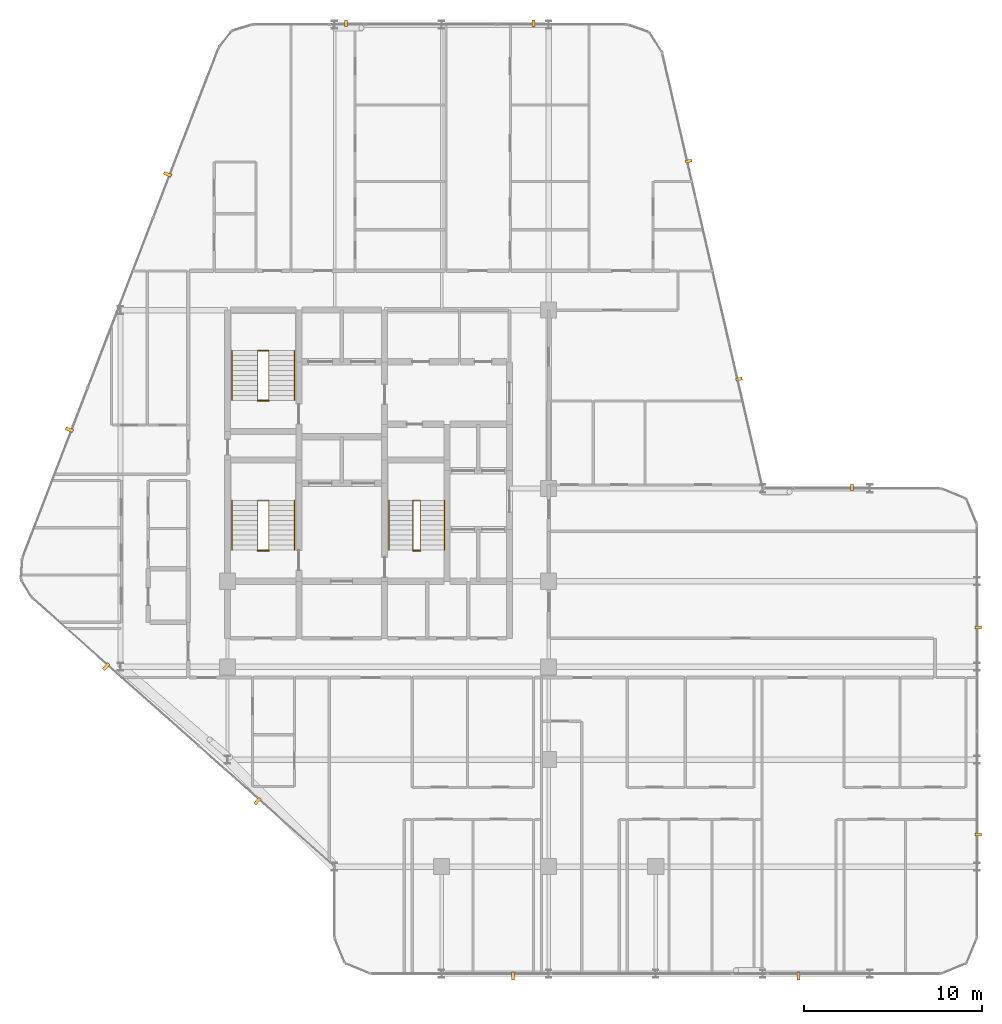
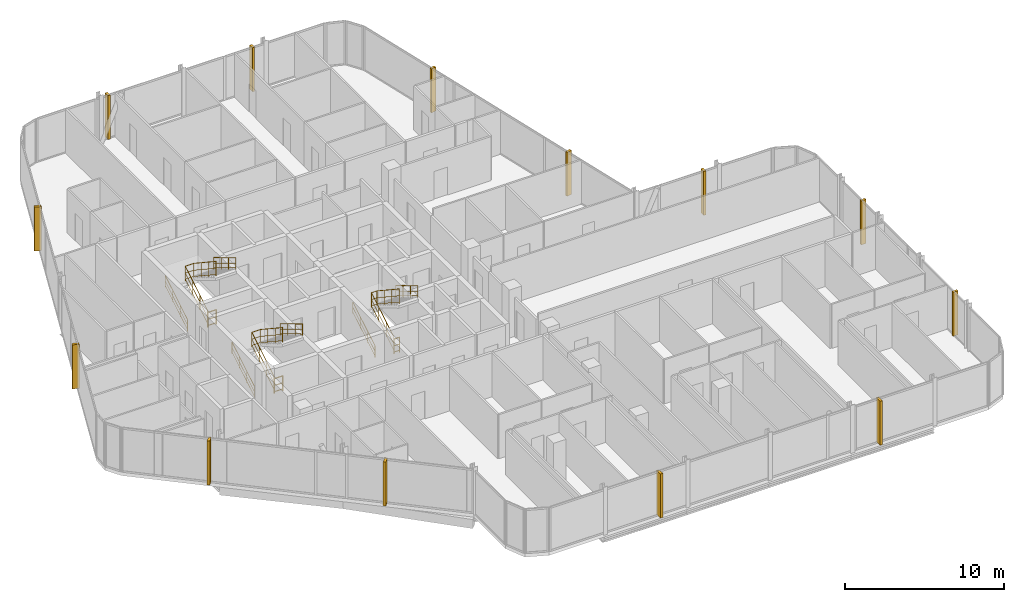
# One storey, part 29 of 29: 13 coverings, 12 railings.
"""IFC4 building model written with IfcOpenShell, lengths in metres."""

from ifc_helpers import new_model, si_unit, direction, frame, origin, origin_2d, place, context, subcontext, project, spatial, rectangle, circle, extrude, material, layer, layer_set, type_object, element, save


model = new_model("IFC4")

# Units and contexts
model_context = context("Model", 3, precision=1e-05, world=origin(), true_north=direction((0.0, 1.0)))
body_context = subcontext(model_context, "Body", "Model", "MODEL_VIEW")
ifc_project = project(units=[si_unit("LENGTHUNIT", "METRE"), si_unit("AREAUNIT", "SQUARE_METRE"), si_unit("VOLUMEUNIT", "CUBIC_METRE"), si_unit("PLANEANGLEUNIT", "RADIAN"), si_unit("MASSUNIT", "GRAM", prefix="KILO")], contexts=[model_context])

# Site, building, storey
site_placement = place(None, origin())
site = spatial("IfcSite", under=ifc_project, at=site_placement, CompositionType="ELEMENT")
building_placement = place(site_placement, origin())
building = spatial("IfcBuilding", under=site, at=building_placement, Name="Keshet Zoharim Tower", CompositionType="ELEMENT")
storey_placement = place(building_placement, frame((0.0, 0.0, 172.800048828125)))
storey = spatial("IfcBuildingStorey", under=building, at=storey_placement, Name="L42", CompositionType="ELEMENT", Elevation=172.800048828125)

# Coverings
ifc_material_1 = material(Name="Concrete C50/60 precast", Category="concrete")
covering_type_1 = type_object("IfcCoveringType", Name="FIN-SOL-360", PredefinedType="CLADDING", material=ifc_material_1)
for number, where, z_axis, x_axis, name in (
    (1, (57.080078125, 20.10009765625, 0.0), (0.0, 0.0, 1.0), (0.0, -1.0, 0.0), "L42 Vertical Precast Solar Fin 01"),
    (2, (57.080078125, 8.5, 0.0), (0.0, 0.0, 1.0), (0.0, -1.0, 0.0), "L42 Vertical Precast Solar Fin 02"),
    (3, (21.633056640625, 53.97998046875, 0.0), (0.0, 0.0, 1.0), (1.0, 0.0, 0.0), "L42 Vertical Precast Solar Fin 09"),
    (4, (32.14990234375, 53.97998046875, 0.0), (0.0, 0.0, 1.0), (1.0, 0.0, 0.0), "L42 Vertical Precast Solar Fin 10"),
    (5, (40.845947265625, 46.2548828125, 0.0), (0.0, 0.0, 1.0), (0.224847864369, -0.974393882313, 0.0), "L42 Vertical Precast Solar Fin 11"),
    (6, (43.6669921875, 34.030029296875, 0.0), (0.0, 0.0, 1.0), (0.224847864369, -0.974393882313, 0.0), "L42 Vertical Precast Solar Fin 12"),
    (7, (50.0, 27.97998046875, 0.0), (0.0, 0.0, 1.0), (1.0, 0.0, 0.0), "L42 Vertical Precast Solar Fin 13"),
):
    element("IfcCovering", number, at=place(storey_placement, frame(where, z_axis=z_axis, x_axis=x_axis)), inside=storey, type_object=covering_type_1, Name=name, PredefinedType="CLADDING", context=body_context, shape_type="SweptSolid", body=[
        extrude(rectangle(XDim=0.159912109375, YDim=0.360107421875, at=origin_2d()), origin(), (0.0, 0.0, 1.0), 3.389892578125),
    ])
covering_type_2 = type_object("IfcCoveringType", Name="FIN-SOL-450", PredefinedType="CLADDING", material=ifc_material_1)
for number, where, z_axis, x_axis, name in (
    (8, (47.0, 0.574951171875, 0.0), (0.0, 0.0, 1.0), (-1.0, 0.0, 0.0), "L42 Vertical Precast Solar Fin 03"),
    (9, (31.0, 0.574951171875, 0.0), (0.0, 0.0, 1.0), (-1.0, 0.0, 0.0), "L42 Vertical Precast Solar Fin 04"),
    (10, (16.676025390625, 10.376953125, 0.0), (0.0, 0.0, 1.0), (-0.747409318679, 0.664363838836, 0.0), "L42 Vertical Precast Solar Fin 05"),
    (11, (8.193115234375, 17.9169921875, 0.0), (0.0, 0.0, 1.0), (-0.747409318679, 0.664363838836, 0.0), "L42 Vertical Precast Solar Fin 06"),
    (12, (6.133056640625, 31.194091796875, 0.0), (0.0, 0.0, 1.0), (0.358990003907, 0.933341404361, 0.0), "L42 Vertical Precast Solar Fin 07"),
    (13, (11.637939453125, 45.507080078125, 0.0), (0.0, 0.0, 1.0), (0.358990003907, 0.933341404361, 0.0), "L42 Vertical Precast Solar Fin 08"),
):
    element("IfcCovering", number, at=place(storey_placement, frame(where, z_axis=z_axis, x_axis=x_axis)), inside=storey, type_object=covering_type_2, Name=name, PredefinedType="CLADDING", context=body_context, shape_type="SweptSolid", body=[
        extrude(rectangle(XDim=0.179931640625, YDim=0.449951171875, at=origin_2d()), origin(), (0.0, 0.0, 1.0), 3.389892578125),
    ])

# Railings
ifc_material_2 = material(Name="Steel S355", Category="steel")
ifc_layer_1 = layer(ifc_material_2, 0.050048828125)
ifc_layer_set_1 = layer_set([ifc_layer_1], Name="Steel S355")
railing_type_1 = type_object("IfcRailingType", Name="RL-HND-092", PredefinedType="HANDRAIL", material=ifc_layer_set_1)
railing_1_placement = place(storey_placement, frame((15.239990234375, 24.43994140625, 0.168212890625)))
element("IfcRailing", 14, at=railing_1_placement, inside=storey, type_object=railing_type_1, Name="L42 ST-01 Flight 1 Wall Handrail", PredefinedType="HANDRAIL", context=body_context, shape_type="SweptSolid", body=[
    extrude(circle(Radius=0.02392578125, at=origin_2d()), frame((0.0, 0.0, 0.89599609375), z_axis=(0.0, 0.857275202839, 0.514858452973), x_axis=(-1.0, 0.0, 0.0)), (0.0, 0.0, 1.0), 3.26611328125),
    extrude(circle(Radius=0.01611328125, at=origin_2d()), frame((0.0, 0.0, 0.478271484375), z_axis=(0.0, 0.857275202839, 0.514858452973), x_axis=(-1.0, 0.0, 0.0)), (0.0, 0.0, 1.0), 3.26611328125),
    extrude(circle(Radius=0.01611328125, at=origin_2d()), frame((0.0, 0.0, 0.1201171875), z_axis=(0.0, 0.857275202839, 0.514858452973), x_axis=(-1.0, 0.0, 0.0)), (0.0, 0.0, 1.0), 3.26611328125),
    extrude(circle(Radius=0.02099609375, at=origin_2d()), origin(), (0.0, 0.0, 1.0), 0.871826171875),
    extrude(circle(Radius=0.02099609375, at=origin_2d()), frame((0.0, 0.933349609375, 0.560546875)), (0.0, 0.0, 1.0), 0.871826171875),
    extrude(circle(Radius=0.02099609375, at=origin_2d()), frame((0.0, 1.86669921875, 1.12109375)), (0.0, 0.0, 1.0), 0.871826171875),
    extrude(circle(Radius=0.02099609375, at=origin_2d()), frame((0.0, 2.800048828125, 1.681640625)), (0.0, 0.0, 1.0), 0.871826171875),
])
railing_2_placement = place(storey_placement, frame((18.760009765625, 27.239990234375, 2.01806640625)))
element("IfcRailing", 15, at=railing_2_placement, inside=storey, type_object=railing_type_1, Name="L42 ST-01 Flight 2 Wall Handrail", PredefinedType="HANDRAIL", context=body_context, shape_type="SweptSolid", body=[
    extrude(circle(Radius=0.02392578125, at=origin_2d()), frame((0.0, 0.0, 0.89599609375), z_axis=(0.0, -0.857242210791, 0.514913383045), x_axis=(1.0, 0.0, 0.0)), (0.0, 0.0, 1.0), 3.266357421875),
    extrude(circle(Radius=0.01611328125, at=origin_2d()), frame((0.0, 0.0, 0.478271484375), z_axis=(0.0, -0.857242210791, 0.514913383045), x_axis=(1.0, 0.0, 0.0)), (0.0, 0.0, 1.0), 3.266357421875),
    extrude(circle(Radius=0.01611328125, at=origin_2d()), frame((0.0, 0.0, 0.1201171875), z_axis=(0.0, -0.857242210791, 0.514913383045), x_axis=(1.0, 0.0, 0.0)), (0.0, 0.0, 1.0), 3.266357421875),
    extrude(circle(Radius=0.02099609375, at=origin_2d()), origin(), (0.0, 0.0, 1.0), 0.871826171875),
    extrude(circle(Radius=0.02099609375, at=origin_2d()), frame((0.0, -0.933349609375, 0.560546875)), (0.0, 0.0, 1.0), 0.871826171875),
    extrude(circle(Radius=0.02099609375, at=origin_2d()), frame((0.0, -1.86669921875, 1.121337890625)), (0.0, 0.0, 1.0), 0.871826171875),
    extrude(circle(Radius=0.02099609375, at=origin_2d()), frame((0.0, -2.800048828125, 1.681884765625)), (0.0, 0.0, 1.0), 0.871826171875),
])
railing_3_placement = place(storey_placement, frame((15.239990234375, 32.840087890625, 0.168212890625)))
element("IfcRailing", 16, at=railing_3_placement, inside=storey, type_object=railing_type_1, Name="L42 ST-02 Flight 1 Wall Handrail", PredefinedType="HANDRAIL", context=body_context, shape_type="SweptSolid", body=[
    extrude(circle(Radius=0.02392578125, at=origin_2d()), frame((0.0, 0.0, 0.89599609375), z_axis=(0.0, 0.857255387014, 0.514891446264), x_axis=(-1.0, 0.0, 0.0)), (0.0, 0.0, 1.0), 3.26611328125),
    extrude(circle(Radius=0.01611328125, at=origin_2d()), frame((0.0, 0.0, 0.478271484375), z_axis=(0.0, 0.857255387014, 0.514891446264), x_axis=(-1.0, 0.0, 0.0)), (0.0, 0.0, 1.0), 3.26611328125),
    extrude(circle(Radius=0.01611328125, at=origin_2d()), frame((0.0, 0.0, 0.1201171875), z_axis=(0.0, 0.857255387014, 0.514891446264), x_axis=(-1.0, 0.0, 0.0)), (0.0, 0.0, 1.0), 3.26611328125),
    extrude(circle(Radius=0.02099609375, at=origin_2d()), origin(), (0.0, 0.0, 1.0), 0.871826171875),
    extrude(circle(Radius=0.02099609375, at=origin_2d()), frame((0.0, 0.933349609375, 0.560546875)), (0.0, 0.0, 1.0), 0.871826171875),
    extrude(circle(Radius=0.02099609375, at=origin_2d()), frame((0.0, 1.866455078125, 1.12109375)), (0.0, 0.0, 1.0), 0.871826171875),
    extrude(circle(Radius=0.02099609375, at=origin_2d()), frame((0.0, 2.7998046875, 1.681640625)), (0.0, 0.0, 1.0), 0.871826171875),
])
railing_4_placement = place(storey_placement, frame((18.760009765625, 35.639892578125, 2.01806640625)))
element("IfcRailing", 17, at=railing_4_placement, inside=storey, type_object=railing_type_1, Name="L42 ST-02 Flight 2 Wall Handrail", PredefinedType="HANDRAIL", context=body_context, shape_type="SweptSolid", body=[
    extrude(circle(Radius=0.02392578125, at=origin_2d()), frame((0.0, 0.0, 0.89599609375), z_axis=(0.0, -0.857222391501, 0.514946377315), x_axis=(1.0, 0.0, 0.0)), (0.0, 0.0, 1.0), 3.26611328125),
    extrude(circle(Radius=0.01611328125, at=origin_2d()), frame((0.0, 0.0, 0.478271484375), z_axis=(0.0, -0.857222391501, 0.514946377315), x_axis=(1.0, 0.0, 0.0)), (0.0, 0.0, 1.0), 3.26611328125),
    extrude(circle(Radius=0.01611328125, at=origin_2d()), frame((0.0, 0.0, 0.1201171875), z_axis=(0.0, -0.857222391501, 0.514946377315), x_axis=(1.0, 0.0, 0.0)), (0.0, 0.0, 1.0), 3.26611328125),
    extrude(circle(Radius=0.02099609375, at=origin_2d()), origin(), (0.0, 0.0, 1.0), 0.871826171875),
    extrude(circle(Radius=0.02099609375, at=origin_2d()), frame((0.0, -0.933349609375, 0.560546875)), (0.0, 0.0, 1.0), 0.871826171875),
    extrude(circle(Radius=0.02099609375, at=origin_2d()), frame((0.0, -1.866455078125, 1.121337890625)), (0.0, 0.0, 1.0), 0.871826171875),
    extrude(circle(Radius=0.02099609375, at=origin_2d()), frame((0.0, -2.7998046875, 1.681884765625)), (0.0, 0.0, 1.0), 0.871826171875),
])
railing_5_placement = place(storey_placement, frame((24.0400390625, 24.43994140625, 0.168212890625)))
element("IfcRailing", 18, at=railing_5_placement, inside=storey, type_object=railing_type_1, Name="L42 ST-03 Flight 1 Wall Handrail", PredefinedType="HANDRAIL", context=body_context, shape_type="SweptSolid", body=[
    extrude(circle(Radius=0.02392578125, at=origin_2d()), frame((0.0, 0.0, 0.89599609375), z_axis=(0.0, 0.857275202839, 0.514858452973), x_axis=(-1.0, 0.0, 0.0)), (0.0, 0.0, 1.0), 3.26611328125),
    extrude(circle(Radius=0.01611328125, at=origin_2d()), frame((0.0, 0.0, 0.478271484375), z_axis=(0.0, 0.857275202839, 0.514858452973), x_axis=(-1.0, 0.0, 0.0)), (0.0, 0.0, 1.0), 3.26611328125),
    extrude(circle(Radius=0.01611328125, at=origin_2d()), frame((0.0, 0.0, 0.1201171875), z_axis=(0.0, 0.857275202839, 0.514858452973), x_axis=(-1.0, 0.0, 0.0)), (0.0, 0.0, 1.0), 3.26611328125),
    extrude(circle(Radius=0.02099609375, at=origin_2d()), origin(), (0.0, 0.0, 1.0), 0.871826171875),
    extrude(circle(Radius=0.02099609375, at=origin_2d()), frame((0.0, 0.933349609375, 0.560546875)), (0.0, 0.0, 1.0), 0.871826171875),
    extrude(circle(Radius=0.02099609375, at=origin_2d()), frame((0.0, 1.86669921875, 1.12109375)), (0.0, 0.0, 1.0), 0.871826171875),
    extrude(circle(Radius=0.02099609375, at=origin_2d()), frame((0.0, 2.800048828125, 1.681640625)), (0.0, 0.0, 1.0), 0.871826171875),
])
railing_6_placement = place(storey_placement, frame((27.159912109375, 27.239990234375, 2.01806640625)))
element("IfcRailing", 19, at=railing_6_placement, inside=storey, type_object=railing_type_1, Name="L42 ST-03 Flight 2 Wall Handrail", PredefinedType="HANDRAIL", context=body_context, shape_type="SweptSolid", body=[
    extrude(circle(Radius=0.02392578125, at=origin_2d()), frame((0.0, 0.0, 0.89599609375), z_axis=(0.0, -0.857242210791, 0.514913383045), x_axis=(1.0, 0.0, 0.0)), (0.0, 0.0, 1.0), 3.266357421875),
    extrude(circle(Radius=0.01611328125, at=origin_2d()), frame((0.0, 0.0, 0.478271484375), z_axis=(0.0, -0.857242210791, 0.514913383045), x_axis=(1.0, 0.0, 0.0)), (0.0, 0.0, 1.0), 3.266357421875),
    extrude(circle(Radius=0.01611328125, at=origin_2d()), frame((0.0, 0.0, 0.1201171875), z_axis=(0.0, -0.857242210791, 0.514913383045), x_axis=(1.0, 0.0, 0.0)), (0.0, 0.0, 1.0), 3.266357421875),
    extrude(circle(Radius=0.02099609375, at=origin_2d()), origin(), (0.0, 0.0, 1.0), 0.871826171875),
    extrude(circle(Radius=0.02099609375, at=origin_2d()), frame((0.0, -0.933349609375, 0.560546875)), (0.0, 0.0, 1.0), 0.871826171875),
    extrude(circle(Radius=0.02099609375, at=origin_2d()), frame((0.0, -1.86669921875, 1.121337890625)), (0.0, 0.0, 1.0), 0.871826171875),
    extrude(circle(Radius=0.02099609375, at=origin_2d()), frame((0.0, -2.800048828125, 1.681884765625)), (0.0, 0.0, 1.0), 0.871826171875),
])
ifc_layer_2 = layer(ifc_material_2, 0.06005859375)
ifc_layer_set_2 = layer_set([ifc_layer_2], Name="Steel S355")
railing_type_2 = type_object("IfcRailingType", Name="RL-STG-115", PredefinedType="GUARDRAIL", material=ifc_layer_set_2)
railing_7_placement = place(storey_placement, frame((16.68994140625, 24.43994140625, 0.168212890625)))
element("IfcRailing", 20, at=railing_7_placement, inside=storey, type_object=railing_type_2, Name="L42 ST-01 Inner Well Guardrail", PredefinedType="GUARDRAIL", context=body_context, shape_type="SweptSolid", body=[
    extrude(circle(Radius=0.02392578125, at=origin_2d()), frame((0.0, 0.0, 1.1259765625), z_axis=(0.0, 0.857275202839, 0.514858452973), x_axis=(-1.0, 0.0, 0.0)), (0.0, 0.0, 1.0), 3.26611328125),
    extrude(circle(Radius=0.01611328125, at=origin_2d()), frame((0.0, 0.0, 0.597900390625), z_axis=(0.0, 0.857275202839, 0.514858452973), x_axis=(-1.0, 0.0, 0.0)), (0.0, 0.0, 1.0), 3.26611328125),
    extrude(circle(Radius=0.01611328125, at=origin_2d()), frame((0.0, 0.0, 0.1201171875), z_axis=(0.0, 0.857275202839, 0.514858452973), x_axis=(-1.0, 0.0, 0.0)), (0.0, 0.0, 1.0), 3.26611328125),
    extrude(circle(Radius=0.02392578125, at=origin_2d()), frame((0.0, 2.800048828125, 2.8076171875), z_axis=(1.0, 0.0, 0.0), x_axis=(0.0, 1.0, 0.0)), (0.0, 0.0, 1.0), 0.6201171875),
    extrude(circle(Radius=0.01611328125, at=origin_2d()), frame((0.0, 2.800048828125, 2.279541015625), z_axis=(1.0, 0.0, 0.0), x_axis=(0.0, 1.0, 0.0)), (0.0, 0.0, 1.0), 0.6201171875),
    extrude(circle(Radius=0.01611328125, at=origin_2d()), frame((0.0, 2.800048828125, 1.8017578125), z_axis=(1.0, 0.0, 0.0), x_axis=(0.0, 1.0, 0.0)), (0.0, 0.0, 1.0), 0.6201171875),
    extrude(circle(Radius=0.02392578125, at=origin_2d()), frame((0.6201171875, 2.800048828125, 2.8076171875), z_axis=(0.0, -0.834326358476, 0.551270829586), x_axis=(1.0, 0.0, 0.0)), (0.0, 0.0, 1.0), 3.35595703125),
    extrude(circle(Radius=0.01611328125, at=origin_2d()), frame((0.6201171875, 2.800048828125, 2.279541015625), z_axis=(0.0, -0.834326358476, 0.551270829586), x_axis=(1.0, 0.0, 0.0)), (0.0, 0.0, 1.0), 3.35595703125),
    extrude(circle(Radius=0.01611328125, at=origin_2d()), frame((0.6201171875, 2.800048828125, 1.8017578125), z_axis=(0.0, -0.834326358476, 0.551270829586), x_axis=(1.0, 0.0, 0.0)), (0.0, 0.0, 1.0), 3.35595703125),
    extrude(circle(Radius=0.02099609375, at=origin_2d()), origin(), (0.0, 0.0, 1.0), 1.101806640625),
    extrude(circle(Radius=0.02099609375, at=origin_2d()), frame((0.0, 0.933349609375, 0.560546875)), (0.0, 0.0, 1.0), 1.101806640625),
    extrude(circle(Radius=0.02099609375, at=origin_2d()), frame((0.0, 1.86669921875, 1.12109375)), (0.0, 0.0, 1.0), 1.101806640625),
    extrude(circle(Radius=0.02099609375, at=origin_2d()), frame((0.0, 2.800048828125, 1.681640625)), (0.0, 0.0, 1.0), 1.101806640625),
    extrude(circle(Radius=0.02099609375, at=origin_2d()), frame((0.6201171875, 2.800048828125, 1.681640625)), (0.0, 0.0, 1.0), 1.101806640625),
    extrude(circle(Radius=0.02099609375, at=origin_2d()), frame((0.6201171875, 1.86669921875, 2.29833984375)), (0.0, 0.0, 1.0), 1.101806640625),
    extrude(circle(Radius=0.02099609375, at=origin_2d()), frame((0.6201171875, 0.933349609375, 2.9150390625)), (0.0, 0.0, 1.0), 1.101806640625),
    extrude(circle(Radius=0.02099609375, at=origin_2d()), frame((0.6201171875, 0.0, 3.53173828125)), (0.0, 0.0, 1.0), 1.101806640625),
])
railing_8_placement = place(storey_placement, frame((16.68994140625, 24.409912109375, 0.0)))
element("IfcRailing", 21, at=railing_8_placement, inside=storey, type_object=railing_type_2, Name="L42 ST-01 Stairwell Floor Guardrail", PredefinedType="GUARDRAIL", context=body_context, shape_type="SweptSolid", body=[
    extrude(circle(Radius=0.02392578125, at=origin_2d()), frame((0.0, 0.0, 1.1259765625), z_axis=(1.0, 0.0, 0.0), x_axis=(0.0, 1.0, 0.0)), (0.0, 0.0, 1.0), 0.6201171875),
    extrude(circle(Radius=0.01611328125, at=origin_2d()), frame((0.0, 0.0, 0.597900390625), z_axis=(1.0, 0.0, 0.0), x_axis=(0.0, 1.0, 0.0)), (0.0, 0.0, 1.0), 0.6201171875),
    extrude(circle(Radius=0.01611328125, at=origin_2d()), frame((0.0, 0.0, 0.1201171875), z_axis=(1.0, 0.0, 0.0), x_axis=(0.0, 1.0, 0.0)), (0.0, 0.0, 1.0), 0.6201171875),
    extrude(circle(Radius=0.02099609375, at=origin_2d()), origin(), (0.0, 0.0, 1.0), 1.101806640625),
    extrude(circle(Radius=0.02099609375, at=origin_2d()), frame((0.6201171875, 0.0, 0.0)), (0.0, 0.0, 1.0), 1.101806640625),
])
railing_9_placement = place(storey_placement, frame((16.68994140625, 32.840087890625, 0.168212890625)))
element("IfcRailing", 22, at=railing_9_placement, inside=storey, type_object=railing_type_2, Name="L42 ST-02 Inner Well Guardrail", PredefinedType="GUARDRAIL", context=body_context, shape_type="SweptSolid", body=[
    extrude(circle(Radius=0.02392578125, at=origin_2d()), frame((0.0, 0.0, 1.1259765625), z_axis=(0.0, 0.857255387014, 0.514891446264), x_axis=(-1.0, 0.0, 0.0)), (0.0, 0.0, 1.0), 3.26611328125),
    extrude(circle(Radius=0.01611328125, at=origin_2d()), frame((0.0, 0.0, 0.597900390625), z_axis=(0.0, 0.857255387014, 0.514891446264), x_axis=(-1.0, 0.0, 0.0)), (0.0, 0.0, 1.0), 3.26611328125),
    extrude(circle(Radius=0.01611328125, at=origin_2d()), frame((0.0, 0.0, 0.1201171875), z_axis=(0.0, 0.857255387014, 0.514891446264), x_axis=(-1.0, 0.0, 0.0)), (0.0, 0.0, 1.0), 3.26611328125),
    extrude(circle(Radius=0.02392578125, at=origin_2d()), frame((0.0, 2.7998046875, 2.8076171875), z_axis=(1.0, 0.0, 0.0), x_axis=(0.0, 1.0, 0.0)), (0.0, 0.0, 1.0), 0.6201171875),
    extrude(circle(Radius=0.01611328125, at=origin_2d()), frame((0.0, 2.7998046875, 2.279541015625), z_axis=(1.0, 0.0, 0.0), x_axis=(0.0, 1.0, 0.0)), (0.0, 0.0, 1.0), 0.6201171875),
    extrude(circle(Radius=0.01611328125, at=origin_2d()), frame((0.0, 2.7998046875, 1.8017578125), z_axis=(1.0, 0.0, 0.0), x_axis=(0.0, 1.0, 0.0)), (0.0, 0.0, 1.0), 0.6201171875),
    extrude(circle(Radius=0.02392578125, at=origin_2d()), frame((0.6201171875, 2.7998046875, 2.8076171875), z_axis=(0.0, -0.834304248922, 0.551304290053), x_axis=(1.0, 0.0, 0.0)), (0.0, 0.0, 1.0), 3.35595703125),
    extrude(circle(Radius=0.01611328125, at=origin_2d()), frame((0.6201171875, 2.7998046875, 2.279541015625), z_axis=(0.0, -0.834304248922, 0.551304290053), x_axis=(1.0, 0.0, 0.0)), (0.0, 0.0, 1.0), 3.35595703125),
    extrude(circle(Radius=0.01611328125, at=origin_2d()), frame((0.6201171875, 2.7998046875, 1.8017578125), z_axis=(0.0, -0.834304248922, 0.551304290053), x_axis=(1.0, 0.0, 0.0)), (0.0, 0.0, 1.0), 3.35595703125),
    extrude(circle(Radius=0.02099609375, at=origin_2d()), origin(), (0.0, 0.0, 1.0), 1.101806640625),
    extrude(circle(Radius=0.02099609375, at=origin_2d()), frame((0.0, 0.933349609375, 0.560546875)), (0.0, 0.0, 1.0), 1.101806640625),
    extrude(circle(Radius=0.02099609375, at=origin_2d()), frame((0.0, 1.866455078125, 1.12109375)), (0.0, 0.0, 1.0), 1.101806640625),
    extrude(circle(Radius=0.02099609375, at=origin_2d()), frame((0.0, 2.7998046875, 1.681640625)), (0.0, 0.0, 1.0), 1.101806640625),
    extrude(circle(Radius=0.02099609375, at=origin_2d()), frame((0.6201171875, 2.7998046875, 1.681640625)), (0.0, 0.0, 1.0), 1.101806640625),
    extrude(circle(Radius=0.02099609375, at=origin_2d()), frame((0.6201171875, 1.866455078125, 2.29833984375)), (0.0, 0.0, 1.0), 1.101806640625),
    extrude(circle(Radius=0.02099609375, at=origin_2d()), frame((0.6201171875, 0.933349609375, 2.9150390625)), (0.0, 0.0, 1.0), 1.101806640625),
    extrude(circle(Radius=0.02099609375, at=origin_2d()), frame((0.6201171875, 0.0, 3.53173828125)), (0.0, 0.0, 1.0), 1.101806640625),
])
railing_10_placement = place(storey_placement, frame((16.68994140625, 32.81005859375, 0.0)))
element("IfcRailing", 23, at=railing_10_placement, inside=storey, type_object=railing_type_2, Name="L42 ST-02 Stairwell Floor Guardrail", PredefinedType="GUARDRAIL", context=body_context, shape_type="SweptSolid", body=[
    extrude(circle(Radius=0.02392578125, at=origin_2d()), frame((0.0, 0.0, 1.1259765625), z_axis=(1.0, 0.0, 0.0), x_axis=(0.0, 1.0, 0.0)), (0.0, 0.0, 1.0), 0.6201171875),
    extrude(circle(Radius=0.01611328125, at=origin_2d()), frame((0.0, 0.0, 0.597900390625), z_axis=(1.0, 0.0, 0.0), x_axis=(0.0, 1.0, 0.0)), (0.0, 0.0, 1.0), 0.6201171875),
    extrude(circle(Radius=0.01611328125, at=origin_2d()), frame((0.0, 0.0, 0.1201171875), z_axis=(1.0, 0.0, 0.0), x_axis=(0.0, 1.0, 0.0)), (0.0, 0.0, 1.0), 0.6201171875),
    extrude(circle(Radius=0.02099609375, at=origin_2d()), origin(), (0.0, 0.0, 1.0), 1.101806640625),
    extrude(circle(Radius=0.02099609375, at=origin_2d()), frame((0.6201171875, 0.0, 0.0)), (0.0, 0.0, 1.0), 1.101806640625),
])
railing_11_placement = place(storey_placement, frame((25.39990234375, 24.43994140625, 0.168212890625)))
element("IfcRailing", 24, at=railing_11_placement, inside=storey, type_object=railing_type_2, Name="L42 ST-03 Inner Well Guardrail", PredefinedType="GUARDRAIL", context=body_context, shape_type="SweptSolid", body=[
    extrude(circle(Radius=0.02392578125, at=origin_2d()), frame((0.0, 0.0, 1.1259765625), z_axis=(0.0, 0.857275202839, 0.514858452973), x_axis=(-1.0, 0.0, 0.0)), (0.0, 0.0, 1.0), 3.26611328125),
    extrude(circle(Radius=0.01611328125, at=origin_2d()), frame((0.0, 0.0, 0.597900390625), z_axis=(0.0, 0.857275202839, 0.514858452973), x_axis=(-1.0, 0.0, 0.0)), (0.0, 0.0, 1.0), 3.26611328125),
    extrude(circle(Radius=0.01611328125, at=origin_2d()), frame((0.0, 0.0, 0.1201171875), z_axis=(0.0, 0.857275202839, 0.514858452973), x_axis=(-1.0, 0.0, 0.0)), (0.0, 0.0, 1.0), 3.26611328125),
    extrude(circle(Radius=0.02392578125, at=origin_2d()), frame((0.0, 2.800048828125, 2.8076171875), z_axis=(1.0, 0.0, 0.0), x_axis=(0.0, 1.0, 0.0)), (0.0, 0.0, 1.0), 0.400146484375),
    extrude(circle(Radius=0.01611328125, at=origin_2d()), frame((0.0, 2.800048828125, 2.279541015625), z_axis=(1.0, 0.0, 0.0), x_axis=(0.0, 1.0, 0.0)), (0.0, 0.0, 1.0), 0.400146484375),
    extrude(circle(Radius=0.01611328125, at=origin_2d()), frame((0.0, 2.800048828125, 1.8017578125), z_axis=(1.0, 0.0, 0.0), x_axis=(0.0, 1.0, 0.0)), (0.0, 0.0, 1.0), 0.400146484375),
    extrude(circle(Radius=0.02392578125, at=origin_2d()), frame((0.400146484375, 2.800048828125, 2.8076171875), z_axis=(0.0, -0.834326358476, 0.551270829586), x_axis=(1.0, 0.0, 0.0)), (0.0, 0.0, 1.0), 3.35595703125),
    extrude(circle(Radius=0.01611328125, at=origin_2d()), frame((0.400146484375, 2.800048828125, 2.279541015625), z_axis=(0.0, -0.834326358476, 0.551270829586), x_axis=(1.0, 0.0, 0.0)), (0.0, 0.0, 1.0), 3.35595703125),
    extrude(circle(Radius=0.01611328125, at=origin_2d()), frame((0.400146484375, 2.800048828125, 1.8017578125), z_axis=(0.0, -0.834326358476, 0.551270829586), x_axis=(1.0, 0.0, 0.0)), (0.0, 0.0, 1.0), 3.35595703125),
    extrude(circle(Radius=0.02099609375, at=origin_2d()), origin(), (0.0, 0.0, 1.0), 1.101806640625),
    extrude(circle(Radius=0.02099609375, at=origin_2d()), frame((0.0, 0.933349609375, 0.560546875)), (0.0, 0.0, 1.0), 1.101806640625),
    extrude(circle(Radius=0.02099609375, at=origin_2d()), frame((0.0, 1.86669921875, 1.12109375)), (0.0, 0.0, 1.0), 1.101806640625),
    extrude(circle(Radius=0.02099609375, at=origin_2d()), frame((0.0, 2.800048828125, 1.681640625)), (0.0, 0.0, 1.0), 1.101806640625),
    extrude(circle(Radius=0.02099609375, at=origin_2d()), frame((0.400146484375, 2.800048828125, 1.681640625)), (0.0, 0.0, 1.0), 1.101806640625),
    extrude(circle(Radius=0.02099609375, at=origin_2d()), frame((0.400146484375, 1.86669921875, 2.29833984375)), (0.0, 0.0, 1.0), 1.101806640625),
    extrude(circle(Radius=0.02099609375, at=origin_2d()), frame((0.400146484375, 0.933349609375, 2.9150390625)), (0.0, 0.0, 1.0), 1.101806640625),
    extrude(circle(Radius=0.02099609375, at=origin_2d()), frame((0.400146484375, 0.0, 3.53173828125)), (0.0, 0.0, 1.0), 1.101806640625),
])
railing_12_placement = place(storey_placement, frame((25.39990234375, 24.409912109375, 0.0)))
element("IfcRailing", 25, at=railing_12_placement, inside=storey, type_object=railing_type_2, Name="L42 ST-03 Stairwell Floor Guardrail", PredefinedType="GUARDRAIL", context=body_context, shape_type="SweptSolid", body=[
    extrude(circle(Radius=0.02392578125, at=origin_2d()), frame((0.0, 0.0, 1.1259765625), z_axis=(1.0, 0.0, 0.0), x_axis=(0.0, 1.0, 0.0)), (0.0, 0.0, 1.0), 0.400146484375),
    extrude(circle(Radius=0.01611328125, at=origin_2d()), frame((0.0, 0.0, 0.597900390625), z_axis=(1.0, 0.0, 0.0), x_axis=(0.0, 1.0, 0.0)), (0.0, 0.0, 1.0), 0.400146484375),
    extrude(circle(Radius=0.01611328125, at=origin_2d()), frame((0.0, 0.0, 0.1201171875), z_axis=(1.0, 0.0, 0.0), x_axis=(0.0, 1.0, 0.0)), (0.0, 0.0, 1.0), 0.400146484375),
    extrude(circle(Radius=0.02099609375, at=origin_2d()), origin(), (0.0, 0.0, 1.0), 1.101806640625),
    extrude(circle(Radius=0.02099609375, at=origin_2d()), frame((0.400146484375, 0.0, 0.0)), (0.0, 0.0, 1.0), 1.101806640625),
])

save(model, "model.ifc")
